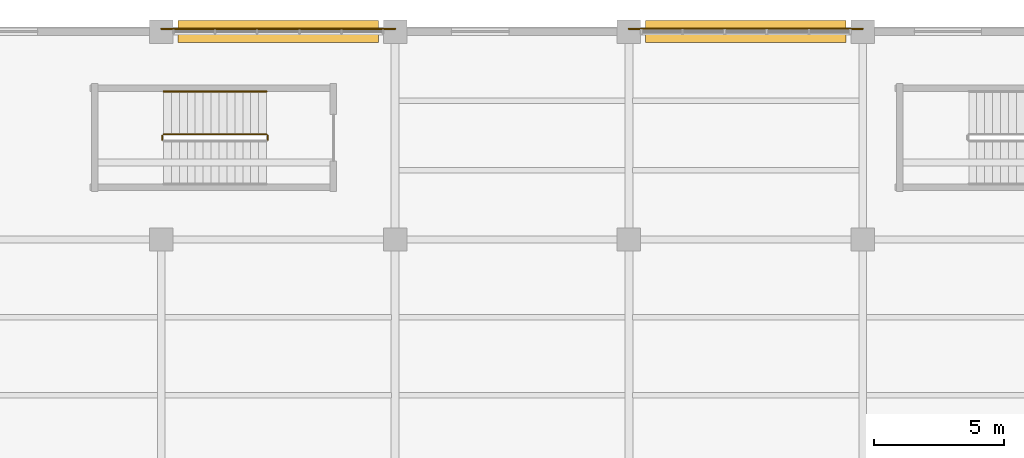
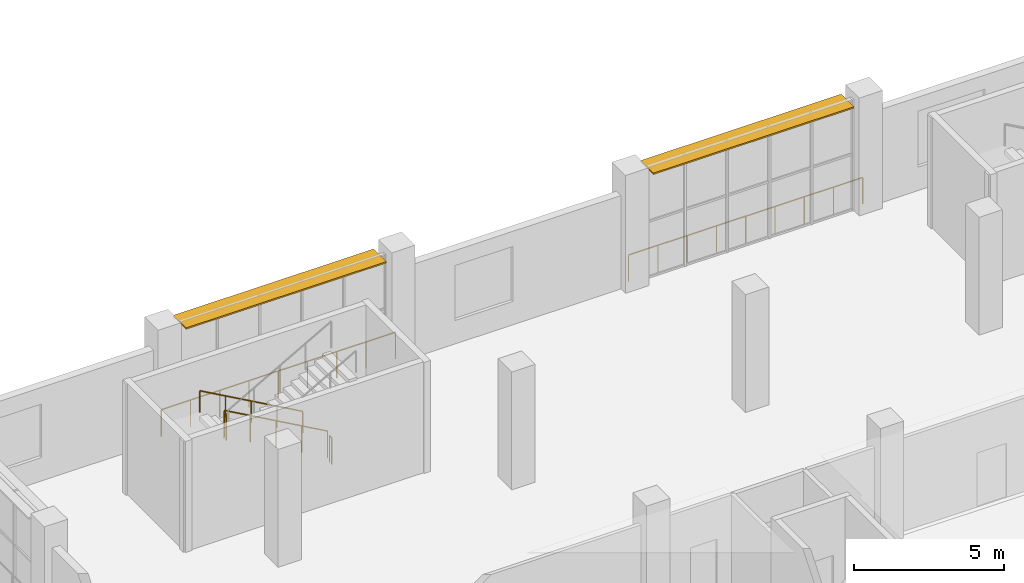
# One storey, part 163 of 183: 6 railings, 2 shading devices.
"""IFC4 building model written with IfcOpenShell, lengths in metres."""

from ifc_helpers import new_model, si_unit, direction, frame, origin, origin_2d, place, context, subcontext, project, spatial, rectangle, circle, extrude, material, layer, layer_set, type_object, element, save


model = new_model("IFC4")

# Units and contexts
model_context = context("Model", 3, precision=1e-05, world=origin(), true_north=direction((0.0, 1.0)))
body_context = subcontext(model_context, "Body", "Model", "MODEL_VIEW")
ifc_project = project(units=[si_unit("LENGTHUNIT", "METRE"), si_unit("AREAUNIT", "SQUARE_METRE"), si_unit("VOLUMEUNIT", "CUBIC_METRE"), si_unit("PLANEANGLEUNIT", "RADIAN"), si_unit("MASSUNIT", "GRAM", prefix="KILO")], contexts=[model_context])

# Site, building, storey
site_placement = place(None, origin())
site = spatial("IfcSite", under=ifc_project, at=site_placement, CompositionType="ELEMENT")
building_placement = place(site_placement, origin())
building = spatial("IfcBuilding", under=site, at=building_placement, Name="Zevraka Park Crest Stadium", CompositionType="ELEMENT")
storey_placement = place(building_placement, frame((0.0, 0.0, 5.39990234375)))
storey = spatial("IfcBuildingStorey", under=building, at=storey_placement, Name="L01", CompositionType="ELEMENT", Elevation=5.39990234375)

# Railings
ifc_material_1 = material(Name="Galvanised and bronze-finished steel balustrade", Category="steel")
railing_type_1 = type_object("IfcRailingType", Name="GR01", PredefinedType="GUARDRAIL", material=ifc_material_1)
for number, where, name in (
    (1, (8.990966796875, 184.10498046875, 0.0), "Deck Edge Protection Guardrail GR01 L01-1"),
    (2, (26.990966796875, 184.10498046875, 0.0), "Deck Edge Protection Guardrail GR01 L01-2"),
):
    element("IfcRailing", number, at=place(storey_placement, frame(where)), inside=storey, type_object=railing_type_1, Name=name, PredefinedType="GUARDRAIL", context=body_context, shape_type="SweptSolid", body=[
        extrude(circle(Radius=0.02392578125, at=origin_2d()), frame((0.0, 0.0, 1.076171875), z_axis=(1.0, 0.0, 0.0), x_axis=(0.0, 1.0, 0.0)), (0.0, 0.0, 1.0), 9.01806640625),
        extrude(circle(Radius=0.02099609375, at=origin_2d()), origin(), (0.0, 0.0, 1.0), 1.052001953125),
        extrude(circle(Radius=0.02099609375, at=origin_2d()), frame((1.127197265625, 0.0, 0.0)), (0.0, 0.0, 1.0), 1.052001953125),
        extrude(circle(Radius=0.02099609375, at=origin_2d()), frame((2.25439453125, 0.0, 0.0)), (0.0, 0.0, 1.0), 1.052001953125),
        extrude(circle(Radius=0.02099609375, at=origin_2d()), frame((3.3818359375, 0.0, 0.0)), (0.0, 0.0, 1.0), 1.052001953125),
        extrude(circle(Radius=0.02099609375, at=origin_2d()), frame((4.509033203125, 0.0, 0.0)), (0.0, 0.0, 1.0), 1.052001953125),
        extrude(circle(Radius=0.02099609375, at=origin_2d()), frame((5.63623046875, 0.0, 0.0)), (0.0, 0.0, 1.0), 1.052001953125),
        extrude(circle(Radius=0.02099609375, at=origin_2d()), frame((6.763671875, 0.0, 0.0)), (0.0, 0.0, 1.0), 1.052001953125),
        extrude(circle(Radius=0.02099609375, at=origin_2d()), frame((7.890869140625, 0.0, 0.0)), (0.0, 0.0, 1.0), 1.052001953125),
        extrude(circle(Radius=0.02099609375, at=origin_2d()), frame((9.01806640625, 0.0, 0.0)), (0.0, 0.0, 1.0), 1.052001953125),
    ])
ifc_material_2 = material(Name="Powder-coated tubular steel stairwell guard", Category="steel")
railing_type_2 = type_object("IfcRailingType", Name="GR03", PredefinedType="GUARDRAIL", material=ifc_material_2)
railing_1_placement = place(storey_placement, frame((13.050048828125, 180.050048828125, 0.171630859375)))
element("IfcRailing", 3, at=railing_1_placement, inside=storey, type_object=railing_type_2, Name="L01 ST47 stair guard 1", PredefinedType="GUARDRAIL", context=body_context, shape_type="SweptSolid", body=[
    extrude(circle(Radius=0.02392578125, at=origin_2d()), frame((0.0, 0.0, 1.076171875), z_axis=(-0.871748933509, 0.0, 0.489952851738), x_axis=(0.0, -1.0, 0.0)), (0.0, 0.0, 1.0), 4.54833984375),
    extrude(circle(Radius=0.02099609375, at=origin_2d()), origin(), (0.0, 0.0, 1.0), 1.052001953125),
    extrude(circle(Radius=0.02099609375, at=origin_2d()), frame((-0.9912109375, 0.0, 0.55712890625)), (0.0, 0.0, 1.0), 1.052001953125),
    extrude(circle(Radius=0.02099609375, at=origin_2d()), frame((-1.982421875, 0.0, 1.1142578125)), (0.0, 0.0, 1.0), 1.052001953125),
    extrude(circle(Radius=0.02099609375, at=origin_2d()), frame((-2.973876953125, 0.0, 1.67138671875)), (0.0, 0.0, 1.0), 1.052001953125),
    extrude(circle(Radius=0.02099609375, at=origin_2d()), frame((-3.965087890625, 0.0, 2.228515625)), (0.0, 0.0, 1.0), 1.052001953125),
])
for number, where, name in (
    (4, (9.034912109375, 180.0, 2.400146484375), "L01 ST47 stair guard 2"),
    (5, (13.10009765625, 180.0, 0.0), "L01 ST47 stair guard 4"),
):
    element("IfcRailing", number, at=place(storey_placement, frame(where)), inside=storey, type_object=railing_type_2, Name=name, PredefinedType="GUARDRAIL", context=body_context, shape_type="SweptSolid", body=[
        extrude(circle(Radius=0.02392578125, at=origin_2d()), frame((0.0, 0.0, 1.076171875), z_axis=(0.0, -1.0, 0.0), x_axis=(1.0, 0.0, 0.0)), (0.0, 0.0, 1.0), 0.159912109375),
        extrude(circle(Radius=0.02099609375, at=origin_2d()), origin(), (0.0, 0.0, 1.0), 1.052001953125),
        extrude(circle(Radius=0.02099609375, at=origin_2d()), frame((0.0, -0.159912109375, 0.0)), (0.0, 0.0, 1.0), 1.052001953125),
    ])
ifc_material_3 = material(Name="Brushed stainless steel continuous handrail", Category="steel")
railing_type_3 = type_object("IfcRailingType", Name="HR01", PredefinedType="HANDRAIL", material=ifc_material_3)
railing_2_placement = place(storey_placement, frame((13.050048828125, 181.699951171875, 0.171630859375)))
element("IfcRailing", 6, at=railing_2_placement, inside=storey, type_object=railing_type_3, Name="L01 ST47 stair handrail 1", PredefinedType="HANDRAIL", context=body_context, shape_type="SweptSolid", body=[
    extrude(circle(Radius=0.02392578125, at=origin_2d()), frame((0.0, 0.0, 0.8759765625), z_axis=(-0.871748933509, 0.0, 0.489952851738), x_axis=(0.0, -1.0, 0.0)), (0.0, 0.0, 1.0), 4.54833984375),
    extrude(circle(Radius=0.02099609375, at=origin_2d()), origin(), (0.0, 0.0, 1.0), 0.851806640625),
    extrude(circle(Radius=0.02099609375, at=origin_2d()), frame((-0.9912109375, 0.0, 0.55712890625)), (0.0, 0.0, 1.0), 0.851806640625),
    extrude(circle(Radius=0.02099609375, at=origin_2d()), frame((-1.982421875, 0.0, 1.1142578125)), (0.0, 0.0, 1.0), 0.851806640625),
    extrude(circle(Radius=0.02099609375, at=origin_2d()), frame((-2.973876953125, 0.0, 1.67138671875)), (0.0, 0.0, 1.0), 0.851806640625),
    extrude(circle(Radius=0.02099609375, at=origin_2d()), frame((-3.965087890625, 0.0, 2.228515625)), (0.0, 0.0, 1.0), 0.851806640625),
])

# Shading devices
ifc_material_4 = material(Name="Architectural golden-bronze anodised bronze", Category="aluminium")
ifc_layer = layer(ifc_material_4, 0.06005859375)
ifc_layer_set = layer_set([ifc_layer], Name="Architectural golden-bronze anodised bronze")
shading_device_type = type_object("IfcShadingDeviceType", Name="SHD01", PredefinedType="USERDEFINED", material=ifc_layer_set)
for number, where, z_axis, x_axis, name in (
    (7, (13.5, 184.0, 4.440185546875), (0.0, 0.0, 1.0), (1.0, 0.0, 0.0), "Wing Bronze Solar Screen SHD01 L01-NW-N-2"),
    (8, (31.5, 184.0, 4.440185546875), (0.0, 0.0, 1.0), (1.0, 0.0, 0.0), "Wing Bronze Solar Screen SHD01 L01-NW-N-4"),
):
    element("IfcShadingDevice", number, at=place(storey_placement, frame(where, z_axis=z_axis, x_axis=x_axis)), inside=storey, type_object=shading_device_type, Name=name, ObjectType="SOLAR SCREEN", PredefinedType="USERDEFINED", context=body_context, shape_type="SweptSolid", body=[
        extrude(rectangle(XDim=7.719970703125, YDim=0.85009765625, at=origin_2d()), origin(), (0.0, 0.0, 1.0), 0.06005859375),
    ])

save(model, "model.ifc")
